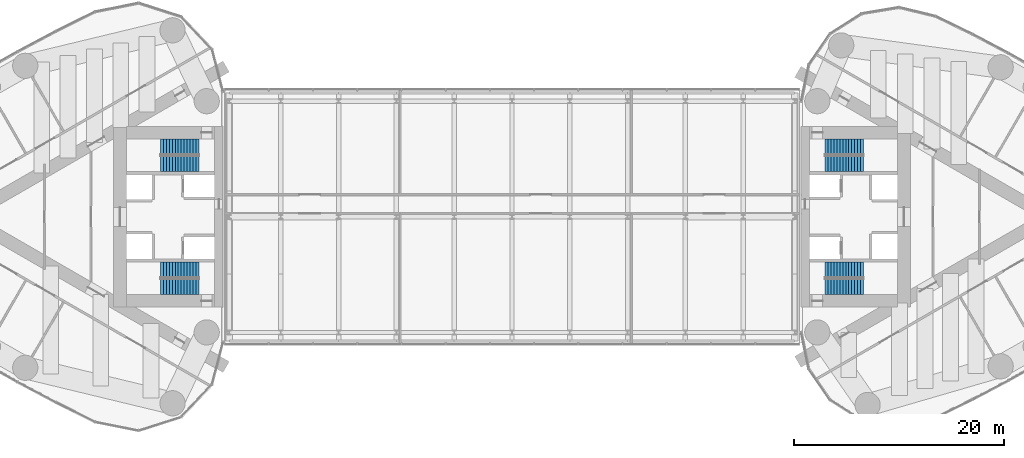
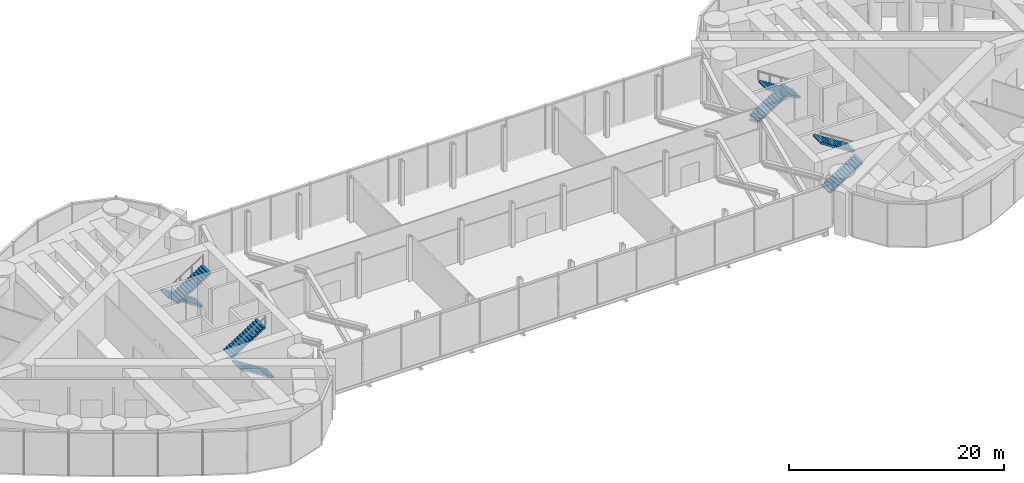
# One storey, part 18 of 19: 8 stair flights, 4 elements without a shape of their own.
"""IFC4 building model written with IfcOpenShell, lengths in metres."""

from ifc_helpers import new_model, si_unit, direction, frame, origin, place, context, subcontext, project, spatial, polyline, outline, extrude, material, type_object, element, aggregate, save


model = new_model("IFC4")

# Units and contexts
model_context = context("Model", 3, precision=1e-05, world=origin(), true_north=direction((0.0, 1.0)))
body_context = subcontext(model_context, "Body", "Model", "MODEL_VIEW")
ifc_project = project(units=[si_unit("LENGTHUNIT", "METRE"), si_unit("AREAUNIT", "SQUARE_METRE"), si_unit("VOLUMEUNIT", "CUBIC_METRE"), si_unit("PLANEANGLEUNIT", "RADIAN"), si_unit("MASSUNIT", "GRAM", prefix="KILO")], contexts=[model_context])

# Site, building, storey
site_placement = place(None, origin())
site = spatial("IfcSite", under=ifc_project, at=site_placement, CompositionType="ELEMENT")
building_placement = place(site_placement, origin())
building = spatial("IfcBuilding", under=site, at=building_placement, Name="Lancet Gate Hotel", CompositionType="ELEMENT")
storey_placement = place(building_placement, frame((0.0, 0.0, 263.300048828125)))
storey = spatial("IfcBuildingStorey", under=building, at=storey_placement, Name="L69", CompositionType="ELEMENT", Elevation=263.300048828125)

# Stair, stair flights
ifc_material_1 = material(Name="Exit stair 28 risers 1500")
stair_type = type_object("IfcStairType", Name="Exit stair 28 risers 1500", PredefinedType="HALF_TURN_STAIR", material=ifc_material_1)
stair_1_placement = place(storey_placement, origin())
stair_1 = element("IfcStair", 1, at=stair_1_placement, inside=storey, type_object=stair_type, Name="T1 stair 1 L69", PredefinedType="HALF_TURN_STAIR")
ifc_material_2 = material(Name="Stair flight 14 risers 179 rise 1500")
stair_flight_type = type_object("IfcStairFlightType", Name="Stair flight 14 risers 179 rise 1500", PredefinedType="STRAIGHT", material=ifc_material_2)
stair_flight_1_placement = place(storey_placement, frame((-29.800048828125, 6.64990234375, 0.0), z_axis=(0.0, 0.0, 1.0), x_axis=(-1.0, 0.0, 0.0)))
stair_flight_1 = element("IfcStairFlight", 2, at=stair_flight_1_placement, type_object=stair_flight_type, Name="ST1 flight 1", NumberOfRisers=14, NumberOfTreads=13, PredefinedType="STRAIGHT", RiserHeight=0.178571429, TreadLength=0.28, context=body_context, shape_type="SweptSolid", body=[
    extrude(outline(polyline([(0.0, 0.0), (0.0, 0.178466796875), (0.280029296875, 0.178466796875), (0.280029296875, 0.357177734375), (0.56005859375, 0.357177734375), (0.56005859375, 0.53564453125), (0.840087890625, 0.53564453125), (0.840087890625, 0.71435546875), (1.1201171875, 0.71435546875), (1.1201171875, 0.892822265625), (1.39990234375, 0.892822265625), (1.39990234375, 1.071533203125), (1.679931640625, 1.071533203125), (1.679931640625, 1.25), (1.9599609375, 1.25), (1.9599609375, 1.428466796875), (2.239990234375, 1.428466796875), (2.239990234375, 1.607177734375), (2.52001953125, 1.607177734375), (2.52001953125, 1.78564453125), (2.800048828125, 1.78564453125), (2.800048828125, 1.96435546875), (3.080078125, 1.96435546875), (3.080078125, 2.142822265625), (3.360107421875, 2.142822265625), (3.360107421875, 2.321533203125), (3.639892578125, 2.321533203125), (3.639892578125, 2.5), (3.639892578125, 2.1435546875), (0.27880859375, 0.0), (0.0, 0.0)])), frame((0.0, 0.75, 0.0), z_axis=(0.0, -1.0, 0.0), x_axis=(1.0, 0.0, 0.0)), (0.0, 0.0, 1.0), 1.5),
])
stair_flight_2_placement = place(storey_placement, frame((-33.43994140625, 5.050048828125, 2.5), z_axis=(0.0, 0.0, 1.0), x_axis=(1.0, 0.0, 0.0)))
stair_flight_2 = element("IfcStairFlight", 3, at=stair_flight_2_placement, type_object=stair_flight_type, Name="ST1 flight 2", NumberOfRisers=14, NumberOfTreads=13, PredefinedType="STRAIGHT", RiserHeight=0.178571429, TreadLength=0.28, context=body_context, shape_type="SweptSolid", body=[
    extrude(outline(polyline([(0.0, 0.0), (0.0, 0.178466796875), (0.280029296875, 0.178466796875), (0.280029296875, 0.357177734375), (0.56005859375, 0.357177734375), (0.56005859375, 0.53564453125), (0.840087890625, 0.53564453125), (0.840087890625, 0.71435546875), (1.1201171875, 0.71435546875), (1.1201171875, 0.892822265625), (1.39990234375, 0.892822265625), (1.39990234375, 1.071533203125), (1.679931640625, 1.071533203125), (1.679931640625, 1.25), (1.9599609375, 1.25), (1.9599609375, 1.428466796875), (2.239990234375, 1.428466796875), (2.239990234375, 1.607177734375), (2.52001953125, 1.607177734375), (2.52001953125, 1.78564453125), (2.800048828125, 1.78564453125), (2.800048828125, 1.96435546875), (3.080078125, 1.96435546875), (3.080078125, 2.142822265625), (3.360107421875, 2.142822265625), (3.360107421875, 2.321533203125), (3.639892578125, 2.321533203125), (3.639892578125, 2.5), (3.639892578125, 2.1435546875), (0.27880859375, 0.0), (0.0, 0.0)])), frame((0.0, 0.75, 0.0), z_axis=(0.0, -1.0, 0.0), x_axis=(1.0, 0.0, 0.0)), (0.0, 0.0, 1.0), 1.5),
])
aggregate(stair_1, [stair_flight_1, stair_flight_2])

stair_2_placement = place(storey_placement, origin())
stair_2 = element("IfcStair", 4, at=stair_2_placement, inside=storey, type_object=stair_type, Name="T1 stair 2 L69", PredefinedType="HALF_TURN_STAIR")
stair_flight_3_placement = place(storey_placement, frame((-29.800048828125, -6.64990234375, 0.0), z_axis=(0.0, 0.0, 1.0), x_axis=(-1.0, 0.0, 0.0)))
stair_flight_3 = element("IfcStairFlight", 5, at=stair_flight_3_placement, type_object=stair_flight_type, Name="ST2 flight 1", NumberOfRisers=14, NumberOfTreads=13, PredefinedType="STRAIGHT", RiserHeight=0.178571429, TreadLength=0.28, context=body_context, shape_type="SweptSolid", body=[
    extrude(outline(polyline([(0.0, 0.0), (0.0, 0.178466796875), (0.280029296875, 0.178466796875), (0.280029296875, 0.357177734375), (0.56005859375, 0.357177734375), (0.56005859375, 0.53564453125), (0.840087890625, 0.53564453125), (0.840087890625, 0.71435546875), (1.1201171875, 0.71435546875), (1.1201171875, 0.892822265625), (1.39990234375, 0.892822265625), (1.39990234375, 1.071533203125), (1.679931640625, 1.071533203125), (1.679931640625, 1.25), (1.9599609375, 1.25), (1.9599609375, 1.428466796875), (2.239990234375, 1.428466796875), (2.239990234375, 1.607177734375), (2.52001953125, 1.607177734375), (2.52001953125, 1.78564453125), (2.800048828125, 1.78564453125), (2.800048828125, 1.96435546875), (3.080078125, 1.96435546875), (3.080078125, 2.142822265625), (3.360107421875, 2.142822265625), (3.360107421875, 2.321533203125), (3.639892578125, 2.321533203125), (3.639892578125, 2.5), (3.639892578125, 2.1435546875), (0.27880859375, 0.0), (0.0, 0.0)])), frame((0.0, 0.75, 0.0), z_axis=(0.0, -1.0, 0.0), x_axis=(1.0, 0.0, 0.0)), (0.0, 0.0, 1.0), 1.5),
])
stair_flight_4_placement = place(storey_placement, frame((-33.43994140625, -5.050048828125, 2.5), z_axis=(0.0, 0.0, 1.0), x_axis=(1.0, 0.0, 0.0)))
stair_flight_4 = element("IfcStairFlight", 6, at=stair_flight_4_placement, type_object=stair_flight_type, Name="ST2 flight 2", NumberOfRisers=14, NumberOfTreads=13, PredefinedType="STRAIGHT", RiserHeight=0.178571429, TreadLength=0.28, context=body_context, shape_type="SweptSolid", body=[
    extrude(outline(polyline([(0.0, 0.0), (0.0, 0.178466796875), (0.280029296875, 0.178466796875), (0.280029296875, 0.357177734375), (0.56005859375, 0.357177734375), (0.56005859375, 0.53564453125), (0.840087890625, 0.53564453125), (0.840087890625, 0.71435546875), (1.1201171875, 0.71435546875), (1.1201171875, 0.892822265625), (1.39990234375, 0.892822265625), (1.39990234375, 1.071533203125), (1.679931640625, 1.071533203125), (1.679931640625, 1.25), (1.9599609375, 1.25), (1.9599609375, 1.428466796875), (2.239990234375, 1.428466796875), (2.239990234375, 1.607177734375), (2.52001953125, 1.607177734375), (2.52001953125, 1.78564453125), (2.800048828125, 1.78564453125), (2.800048828125, 1.96435546875), (3.080078125, 1.96435546875), (3.080078125, 2.142822265625), (3.360107421875, 2.142822265625), (3.360107421875, 2.321533203125), (3.639892578125, 2.321533203125), (3.639892578125, 2.5), (3.639892578125, 2.1435546875), (0.27880859375, 0.0), (0.0, 0.0)])), frame((0.0, 0.75, 0.0), z_axis=(0.0, -1.0, 0.0), x_axis=(1.0, 0.0, 0.0)), (0.0, 0.0, 1.0), 1.5),
])
aggregate(stair_2, [stair_flight_3, stair_flight_4])

stair_3_placement = place(storey_placement, origin())
stair_3 = element("IfcStair", 7, at=stair_3_placement, inside=storey, type_object=stair_type, Name="T2 stair 1 L69", PredefinedType="HALF_TURN_STAIR")
stair_flight_5_placement = place(storey_placement, frame((29.800048828125, -6.64990234375, 0.0), z_axis=(0.0, 0.0, 1.0), x_axis=(1.0, 0.0, 0.0)))
stair_flight_5 = element("IfcStairFlight", 8, at=stair_flight_5_placement, type_object=stair_flight_type, Name="ST3 flight 1", NumberOfRisers=14, NumberOfTreads=13, PredefinedType="STRAIGHT", RiserHeight=0.178571429, TreadLength=0.28, context=body_context, shape_type="SweptSolid", body=[
    extrude(outline(polyline([(0.0, 0.0), (0.0, 0.178466796875), (0.280029296875, 0.178466796875), (0.280029296875, 0.357177734375), (0.56005859375, 0.357177734375), (0.56005859375, 0.53564453125), (0.840087890625, 0.53564453125), (0.840087890625, 0.71435546875), (1.1201171875, 0.71435546875), (1.1201171875, 0.892822265625), (1.39990234375, 0.892822265625), (1.39990234375, 1.071533203125), (1.679931640625, 1.071533203125), (1.679931640625, 1.25), (1.9599609375, 1.25), (1.9599609375, 1.428466796875), (2.239990234375, 1.428466796875), (2.239990234375, 1.607177734375), (2.52001953125, 1.607177734375), (2.52001953125, 1.78564453125), (2.800048828125, 1.78564453125), (2.800048828125, 1.96435546875), (3.080078125, 1.96435546875), (3.080078125, 2.142822265625), (3.360107421875, 2.142822265625), (3.360107421875, 2.321533203125), (3.639892578125, 2.321533203125), (3.639892578125, 2.5), (3.639892578125, 2.1435546875), (0.27880859375, 0.0), (0.0, 0.0)])), frame((0.0, 0.75, 0.0), z_axis=(0.0, -1.0, 0.0), x_axis=(1.0, 0.0, 0.0)), (0.0, 0.0, 1.0), 1.5),
])
stair_flight_6_placement = place(storey_placement, frame((33.43994140625, -5.050048828125, 2.5), z_axis=(0.0, 0.0, 1.0), x_axis=(-1.0, 0.0, 0.0)))
stair_flight_6 = element("IfcStairFlight", 9, at=stair_flight_6_placement, type_object=stair_flight_type, Name="ST3 flight 2", NumberOfRisers=14, NumberOfTreads=13, PredefinedType="STRAIGHT", RiserHeight=0.178571429, TreadLength=0.28, context=body_context, shape_type="SweptSolid", body=[
    extrude(outline(polyline([(0.0, 0.0), (0.0, 0.178466796875), (0.280029296875, 0.178466796875), (0.280029296875, 0.357177734375), (0.56005859375, 0.357177734375), (0.56005859375, 0.53564453125), (0.840087890625, 0.53564453125), (0.840087890625, 0.71435546875), (1.1201171875, 0.71435546875), (1.1201171875, 0.892822265625), (1.39990234375, 0.892822265625), (1.39990234375, 1.071533203125), (1.679931640625, 1.071533203125), (1.679931640625, 1.25), (1.9599609375, 1.25), (1.9599609375, 1.428466796875), (2.239990234375, 1.428466796875), (2.239990234375, 1.607177734375), (2.52001953125, 1.607177734375), (2.52001953125, 1.78564453125), (2.800048828125, 1.78564453125), (2.800048828125, 1.96435546875), (3.080078125, 1.96435546875), (3.080078125, 2.142822265625), (3.360107421875, 2.142822265625), (3.360107421875, 2.321533203125), (3.639892578125, 2.321533203125), (3.639892578125, 2.5), (3.639892578125, 2.1435546875), (0.27880859375, 0.0), (0.0, 0.0)])), frame((0.0, 0.75, 0.0), z_axis=(0.0, -1.0, 0.0), x_axis=(1.0, 0.0, 0.0)), (0.0, 0.0, 1.0), 1.5),
])
aggregate(stair_3, [stair_flight_5, stair_flight_6])

stair_4_placement = place(storey_placement, origin())
stair_4 = element("IfcStair", 10, at=stair_4_placement, inside=storey, type_object=stair_type, Name="T2 stair 2 L69", PredefinedType="HALF_TURN_STAIR")
stair_flight_7_placement = place(storey_placement, frame((29.800048828125, 6.64990234375, 0.0), z_axis=(0.0, 0.0, 1.0), x_axis=(1.0, 0.0, 0.0)))
stair_flight_7 = element("IfcStairFlight", 11, at=stair_flight_7_placement, type_object=stair_flight_type, Name="ST4 flight 1", NumberOfRisers=14, NumberOfTreads=13, PredefinedType="STRAIGHT", RiserHeight=0.178571429, TreadLength=0.28, context=body_context, shape_type="SweptSolid", body=[
    extrude(outline(polyline([(0.0, 0.0), (0.0, 0.178466796875), (0.280029296875, 0.178466796875), (0.280029296875, 0.357177734375), (0.56005859375, 0.357177734375), (0.56005859375, 0.53564453125), (0.840087890625, 0.53564453125), (0.840087890625, 0.71435546875), (1.1201171875, 0.71435546875), (1.1201171875, 0.892822265625), (1.39990234375, 0.892822265625), (1.39990234375, 1.071533203125), (1.679931640625, 1.071533203125), (1.679931640625, 1.25), (1.9599609375, 1.25), (1.9599609375, 1.428466796875), (2.239990234375, 1.428466796875), (2.239990234375, 1.607177734375), (2.52001953125, 1.607177734375), (2.52001953125, 1.78564453125), (2.800048828125, 1.78564453125), (2.800048828125, 1.96435546875), (3.080078125, 1.96435546875), (3.080078125, 2.142822265625), (3.360107421875, 2.142822265625), (3.360107421875, 2.321533203125), (3.639892578125, 2.321533203125), (3.639892578125, 2.5), (3.639892578125, 2.1435546875), (0.27880859375, 0.0), (0.0, 0.0)])), frame((0.0, 0.75, 0.0), z_axis=(0.0, -1.0, 0.0), x_axis=(1.0, 0.0, 0.0)), (0.0, 0.0, 1.0), 1.5),
])
stair_flight_8_placement = place(storey_placement, frame((33.43994140625, 5.050048828125, 2.5), z_axis=(0.0, 0.0, 1.0), x_axis=(-1.0, 0.0, 0.0)))
stair_flight_8 = element("IfcStairFlight", 12, at=stair_flight_8_placement, type_object=stair_flight_type, Name="ST4 flight 2", NumberOfRisers=14, NumberOfTreads=13, PredefinedType="STRAIGHT", RiserHeight=0.178571429, TreadLength=0.28, context=body_context, shape_type="SweptSolid", body=[
    extrude(outline(polyline([(0.0, 0.0), (0.0, 0.178466796875), (0.280029296875, 0.178466796875), (0.280029296875, 0.357177734375), (0.56005859375, 0.357177734375), (0.56005859375, 0.53564453125), (0.840087890625, 0.53564453125), (0.840087890625, 0.71435546875), (1.1201171875, 0.71435546875), (1.1201171875, 0.892822265625), (1.39990234375, 0.892822265625), (1.39990234375, 1.071533203125), (1.679931640625, 1.071533203125), (1.679931640625, 1.25), (1.9599609375, 1.25), (1.9599609375, 1.428466796875), (2.239990234375, 1.428466796875), (2.239990234375, 1.607177734375), (2.52001953125, 1.607177734375), (2.52001953125, 1.78564453125), (2.800048828125, 1.78564453125), (2.800048828125, 1.96435546875), (3.080078125, 1.96435546875), (3.080078125, 2.142822265625), (3.360107421875, 2.142822265625), (3.360107421875, 2.321533203125), (3.639892578125, 2.321533203125), (3.639892578125, 2.5), (3.639892578125, 2.1435546875), (0.27880859375, 0.0), (0.0, 0.0)])), frame((0.0, 0.75, 0.0), z_axis=(0.0, -1.0, 0.0), x_axis=(1.0, 0.0, 0.0)), (0.0, 0.0, 1.0), 1.5),
])
aggregate(stair_4, [stair_flight_7, stair_flight_8])

save(model, "model.ifc")
